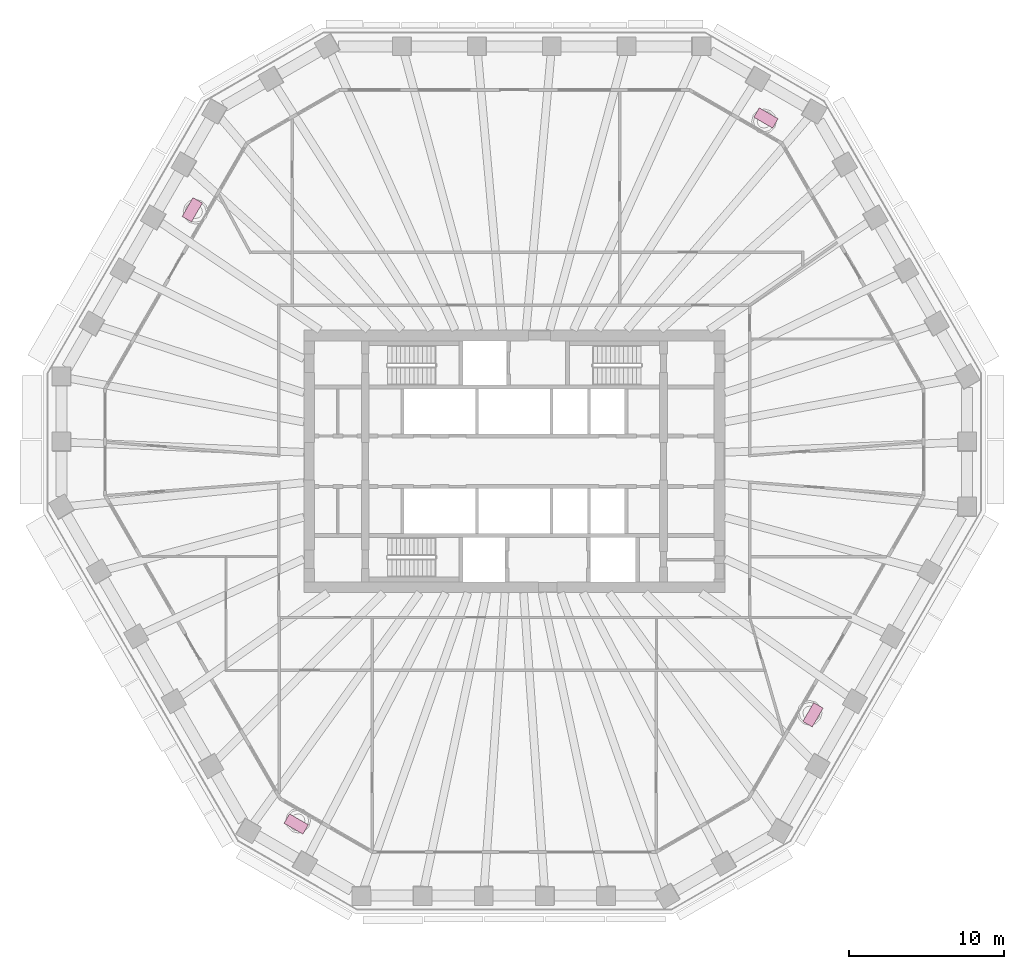
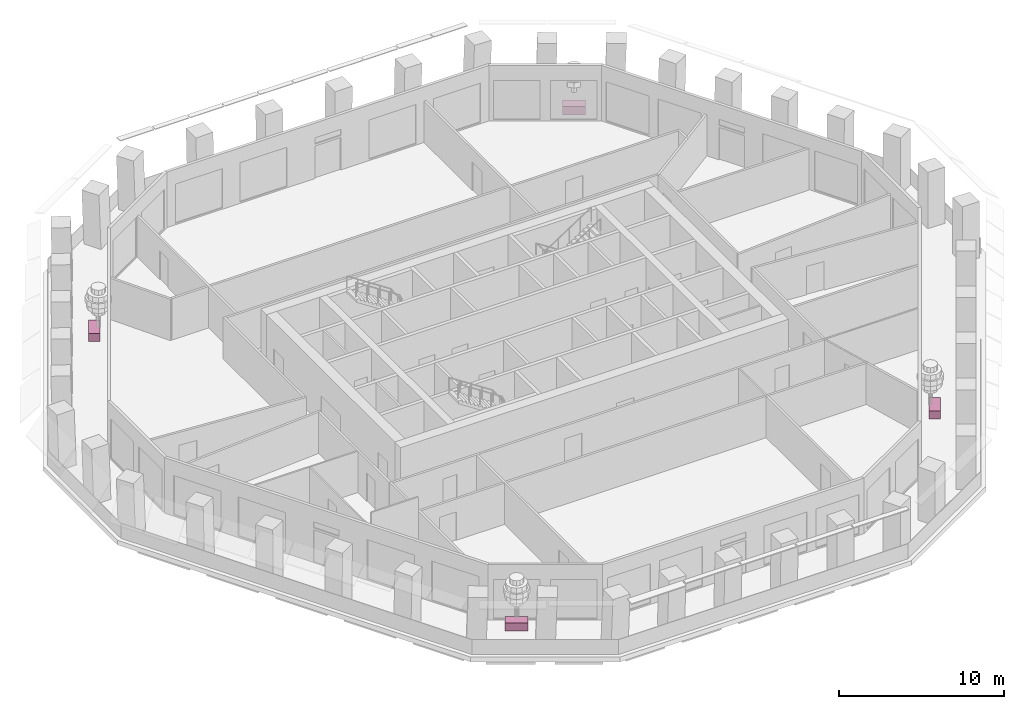
# One storey, part 12 of 13: 4 furniture elements.
"""IFC4 building model written with IfcOpenShell, lengths in metres."""

from ifc_helpers import new_model, si_unit, direction, frame, origin, origin_2d, place, context, subcontext, project, spatial, rectangle, extrude, material, type_object, element, save


model = new_model("IFC4")

# Units and contexts
model_context = context("Model", 3, precision=1e-05, world=origin(), true_north=direction((0.0, 1.0)))
body_context = subcontext(model_context, "Body", "Model", "MODEL_VIEW")
ifc_project = project(units=[si_unit("LENGTHUNIT", "METRE"), si_unit("AREAUNIT", "SQUARE_METRE"), si_unit("VOLUMEUNIT", "CUBIC_METRE"), si_unit("PLANEANGLEUNIT", "RADIAN"), si_unit("MASSUNIT", "GRAM", prefix="KILO")], contexts=[model_context])

# Site, building, storey
site_placement = place(None, origin())
site = spatial("IfcSite", under=ifc_project, at=site_placement, CompositionType="ELEMENT")
building_placement = place(site_placement, origin())
building = spatial("IfcBuilding", under=site, at=building_placement, Name="Frailejon Research Tower", CompositionType="ELEMENT")
storey_placement = place(building_placement, frame((0.0, 0.0, 184.800048828125)))
storey = spatial("IfcBuildingStorey", under=building, at=storey_placement, Name="L40", CompositionType="ELEMENT", Elevation=184.800048828125)

# Furniture
ifc_material = material(Name="Precast concrete C30/37 planter, terracotta", Category="masonry")
furniture_type = type_object("IfcFurnitureType", Name="Loggia planter 1400x700", AssemblyPlace="NOTDEFINED", PredefinedType="USERDEFINED", material=ifc_material)
for number, where, z_axis, x_axis, name in (
    (1, (16.193359375, 22.0947265625, 0.0), (0.0, 0.0, 1.0), (-0.866025403784, 0.5, 0.0), "Planter L40"),
    (2, (-20.7275390625, 16.187744140625, 0.0), (0.0, 0.0, 1.0), (-0.5, -0.866025403784, 0.0), "Planter L40"),
    (3, (-14.037841796875, -23.339111328125, 0.0), (0.0, 0.0, 1.0), (0.866025403784, -0.5, 0.0), "Planter L40"),
    (4, (19.21875, -16.312255859375, 0.0), (0.0, 0.0, 1.0), (0.5, 0.866025403784, 0.0), "Planter L40"),
):
    element("IfcFurniture", number, at=place(storey_placement, frame(where, z_axis=z_axis, x_axis=x_axis)), inside=storey, type_object=furniture_type, Name=name, ObjectType="PLANTER", PredefinedType="USERDEFINED", context=body_context, shape_type="SweptSolid", body=[
        extrude(rectangle(XDim=1.39990234375, YDim=0.699951171875, at=origin_2d()), origin(), (0.0, 0.0, 1.0), 0.60009765625),
    ])

save(model, "model.ifc")
